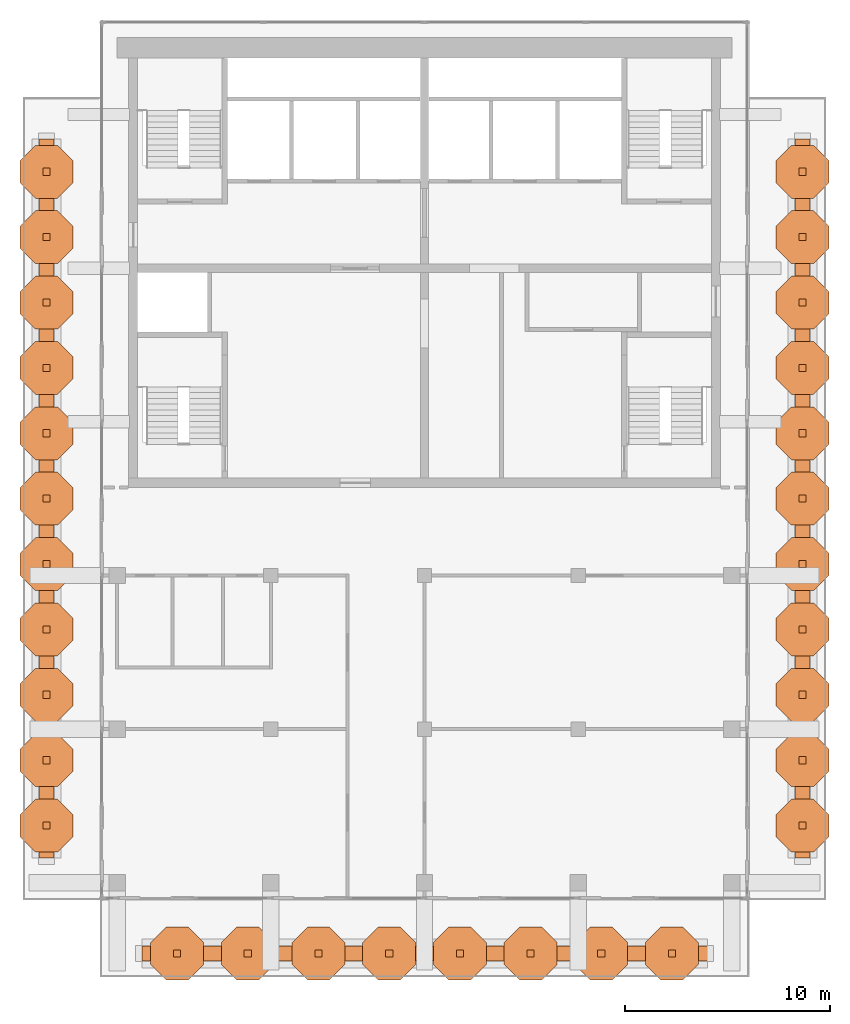
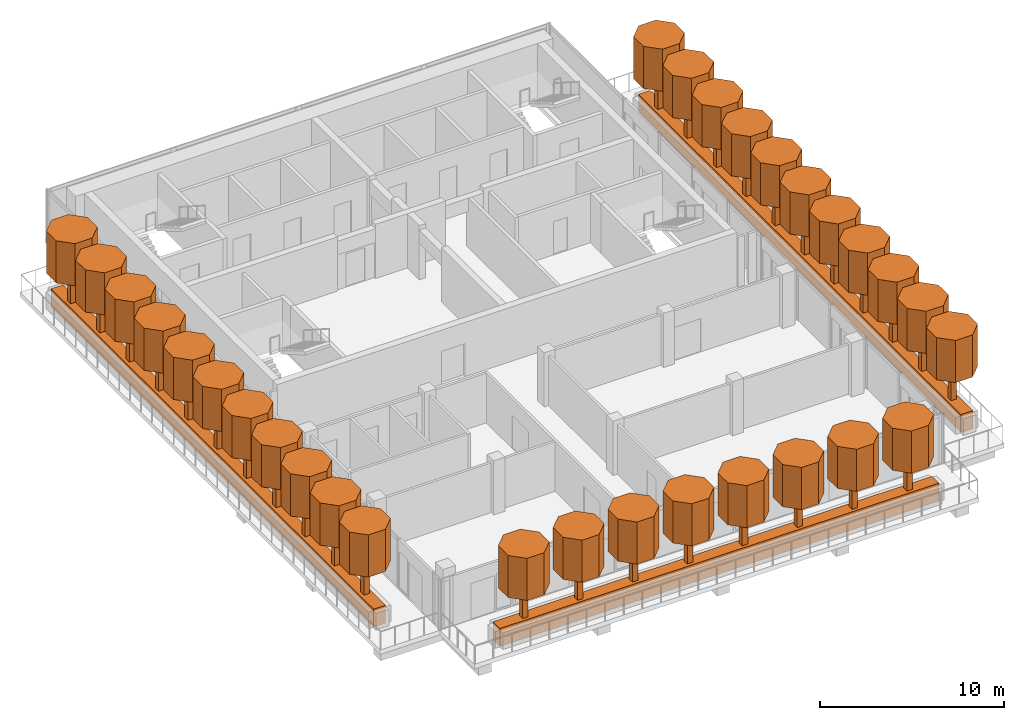
# One storey, part 10 of 10: 63 geographic elements.
"""IFC4 building model written with IfcOpenShell, lengths in metres."""

from ifc_helpers import new_model, si_unit, direction, frame, origin, origin_2d, place, context, subcontext, project, spatial, polyline, rectangle, outline, extrude, material, material_profile, profile_set, type_object, element, save


model = new_model("IFC4")

# Units and contexts
model_context = context("Model", 3, precision=1e-05, world=origin(), true_north=direction((0.0, 1.0)))
body_context = subcontext(model_context, "Body", "Model", "MODEL_VIEW")
ifc_project = project(units=[si_unit("LENGTHUNIT", "METRE"), si_unit("AREAUNIT", "SQUARE_METRE"), si_unit("VOLUMEUNIT", "CUBIC_METRE"), si_unit("PLANEANGLEUNIT", "RADIAN"), si_unit("MASSUNIT", "GRAM", prefix="KILO")], contexts=[model_context])

# Site, building, storey
site_placement = place(None, origin())
site = spatial("IfcSite", under=ifc_project, at=site_placement, CompositionType="ELEMENT")
building_placement = place(site_placement, origin())
building = spatial("IfcBuilding", under=site, at=building_placement, Name="Pilkhan Gate Tower", CompositionType="ELEMENT")
storey_placement = place(building_placement, frame((0.0, 0.0, 272.89990234375)))
storey = spatial("IfcBuildingStorey", under=building, at=storey_placement, Name="L71", CompositionType="ELEMENT", Elevation=272.89990234375)

# Geographic elements
ifc_material_1 = material(Name="Foliage")
ifc_material_profile_1 = material_profile(ifc_material_1, rectangle(XDim=0.75, YDim=1.199951171875, at=origin_2d()), Name="Bed 750x1200")
ifc_profile_set_1 = profile_set([ifc_material_profile_1], Name="Foliage")
geographic_element_type_1 = type_object("IfcGeographicElementType", Name="Planting bed PB1", PredefinedType="USERDEFINED", material=ifc_profile_set_1)
geographic_element_1_placement = place(storey_placement, frame((93.449951171875, 88.800048828125, 0.60009765625), z_axis=(0.0, -1.0, 0.0), x_axis=(1.0, 0.0, 0.0)))
element("IfcGeographicElement", 1, at=geographic_element_1_placement, inside=storey, type_object=geographic_element_type_1, Name="Terrace L71 2 planting bed", ObjectType="PLANTING BED", PredefinedType="USERDEFINED", context=body_context, shape_type="SweptSolid", body=[
    extrude(rectangle(XDim=0.75, YDim=1.199951171875, at=origin_2d()), origin(), (0.0, 0.0, 1.0), 35.10009765625),
])
geographic_element_2_placement = place(storey_placement, frame((88.800048828125, 49.050048828125, 0.60009765625), z_axis=(-1.0, 0.0, 0.0), x_axis=(0.0, -1.0, 0.0)))
element("IfcGeographicElement", 2, at=geographic_element_2_placement, inside=storey, type_object=geographic_element_type_1, Name="Terrace L71 0 planting bed", ObjectType="PLANTING BED", PredefinedType="USERDEFINED", context=body_context, shape_type="SweptSolid", body=[
    extrude(rectangle(XDim=0.75, YDim=1.199951171875, at=origin_2d()), origin(), (0.0, 0.0, 1.0), 27.60009765625),
])
geographic_element_3_placement = place(storey_placement, frame((56.550048828125, 53.699951171875, 0.60009765625), z_axis=(0.0, 1.0, 0.0), x_axis=(-1.0, 0.0, 0.0)))
element("IfcGeographicElement", 3, at=geographic_element_3_placement, inside=storey, type_object=geographic_element_type_1, Name="Terrace L71 0 planting bed", ObjectType="PLANTING BED", PredefinedType="USERDEFINED", context=body_context, shape_type="SweptSolid", body=[
    extrude(rectangle(XDim=0.75, YDim=1.199951171875, at=origin_2d()), origin(), (0.0, 0.0, 1.0), 35.10009765625),
])
ifc_material_profile_2 = material_profile(ifc_material_1, outline(polyline([(1.29345703125, 0.535888671875), (0.535888671875, 1.29345703125), (-0.535888671875, 1.29345703125), (-1.29345703125, 0.535888671875), (-1.29345703125, -0.535888671875), (-0.535888671875, -1.29345703125), (0.535888671875, -1.29345703125), (1.29345703125, -0.535888671875), (1.29345703125, 0.535888671875)])), Name="Canopy D2.8")
ifc_profile_set_2 = profile_set([ifc_material_profile_2], Name="Foliage")
geographic_element_type_2 = type_object("IfcGeographicElementType", Name="Tree canopy TC14", PredefinedType="USERDEFINED", material=ifc_profile_set_2)
for number, where, z_axis, x_axis, name in (
    (4, (93.449951171875, 87.20458984375, 3.2001953125), (0.0, 0.0, 1.0), (1.0, 0.0, 0.0), "Tree L71 terrace 2.1 canopy"),
    (5, (93.449951171875, 84.013671875, 3.2001953125), (0.0, 0.0, 1.0), (1.0, 0.0, 0.0), "Tree L71 terrace 2.2 canopy"),
    (6, (93.449951171875, 80.82275390625, 3.2001953125), (0.0, 0.0, 1.0), (1.0, 0.0, 0.0), "Tree L71 terrace 2.3 canopy"),
    (7, (93.449951171875, 77.6318359375, 3.2001953125), (0.0, 0.0, 1.0), (1.0, 0.0, 0.0), "Tree L71 terrace 2.4 canopy"),
    (8, (93.449951171875, 74.44091796875, 3.2001953125), (0.0, 0.0, 1.0), (1.0, 0.0, 0.0), "Tree L71 terrace 2.5 canopy"),
    (9, (93.449951171875, 71.25, 3.2001953125), (0.0, 0.0, 1.0), (1.0, 0.0, 0.0), "Tree L71 terrace 2.6 canopy"),
    (10, (93.449951171875, 68.05908203125, 3.2001953125), (0.0, 0.0, 1.0), (1.0, 0.0, 0.0), "Tree L71 terrace 2.7 canopy"),
    (11, (93.449951171875, 64.8681640625, 3.2001953125), (0.0, 0.0, 1.0), (1.0, 0.0, 0.0), "Tree L71 terrace 2.8 canopy"),
    (12, (93.449951171875, 61.67724609375, 3.2001953125), (0.0, 0.0, 1.0), (1.0, 0.0, 0.0), "Tree L71 terrace 2.9 canopy"),
    (13, (93.449951171875, 58.486328125, 3.2001953125), (0.0, 0.0, 1.0), (1.0, 0.0, 0.0), "Tree L71 terrace 2.10 canopy"),
    (14, (93.449951171875, 55.29541015625, 3.2001953125), (0.0, 0.0, 1.0), (1.0, 0.0, 0.0), "Tree L71 terrace 2.11 canopy"),
    (15, (87.074951171875, 49.050048828125, 3.2001953125), (0.0, 0.0, 1.0), (1.0, 0.0, 0.0), "Tree L71 terrace 0.1 canopy"),
    (16, (83.625, 49.050048828125, 3.2001953125), (0.0, 0.0, 1.0), (1.0, 0.0, 0.0), "Tree L71 terrace 0.2 canopy"),
    (17, (80.175048828125, 49.050048828125, 3.2001953125), (0.0, 0.0, 1.0), (1.0, 0.0, 0.0), "Tree L71 terrace 0.3 canopy"),
    (18, (76.72509765625, 49.050048828125, 3.2001953125), (0.0, 0.0, 1.0), (1.0, 0.0, 0.0), "Tree L71 terrace 0.4 canopy"),
    (19, (73.27490234375, 49.050048828125, 3.2001953125), (0.0, 0.0, 1.0), (1.0, 0.0, 0.0), "Tree L71 terrace 0.5 canopy"),
    (20, (69.824951171875, 49.050048828125, 3.2001953125), (0.0, 0.0, 1.0), (1.0, 0.0, 0.0), "Tree L71 terrace 0.6 canopy"),
    (21, (66.375, 49.050048828125, 3.2001953125), (0.0, 0.0, 1.0), (1.0, 0.0, 0.0), "Tree L71 terrace 0.7 canopy"),
    (22, (62.925048828125, 49.050048828125, 3.2001953125), (0.0, 0.0, 1.0), (1.0, 0.0, 0.0), "Tree L71 terrace 0.8 canopy"),
    (23, (56.550048828125, 55.29541015625, 3.2001953125), (0.0, 0.0, 1.0), (1.0, 0.0, 0.0), "Tree L71 terrace 0.1 canopy"),
    (24, (56.550048828125, 58.486328125, 3.2001953125), (0.0, 0.0, 1.0), (1.0, 0.0, 0.0), "Tree L71 terrace 0.2 canopy"),
    (25, (56.550048828125, 61.67724609375, 3.2001953125), (0.0, 0.0, 1.0), (1.0, 0.0, 0.0), "Tree L71 terrace 0.3 canopy"),
    (26, (56.550048828125, 64.8681640625, 3.2001953125), (0.0, 0.0, 1.0), (1.0, 0.0, 0.0), "Tree L71 terrace 0.4 canopy"),
    (27, (56.550048828125, 68.05908203125, 3.2001953125), (0.0, 0.0, 1.0), (1.0, 0.0, 0.0), "Tree L71 terrace 0.5 canopy"),
    (28, (56.550048828125, 71.25, 3.2001953125), (0.0, 0.0, 1.0), (1.0, 0.0, 0.0), "Tree L71 terrace 0.6 canopy"),
    (29, (56.550048828125, 74.44091796875, 3.2001953125), (0.0, 0.0, 1.0), (1.0, 0.0, 0.0), "Tree L71 terrace 0.7 canopy"),
    (30, (56.550048828125, 77.6318359375, 3.2001953125), (0.0, 0.0, 1.0), (1.0, 0.0, 0.0), "Tree L71 terrace 0.8 canopy"),
    (31, (56.550048828125, 80.82275390625, 3.2001953125), (0.0, 0.0, 1.0), (1.0, 0.0, 0.0), "Tree L71 terrace 0.9 canopy"),
    (32, (56.550048828125, 84.013671875, 3.2001953125), (0.0, 0.0, 1.0), (1.0, 0.0, 0.0), "Tree L71 terrace 0.10 canopy"),
    (33, (56.550048828125, 87.20458984375, 3.2001953125), (0.0, 0.0, 1.0), (1.0, 0.0, 0.0), "Tree L71 terrace 0.11 canopy"),
):
    element("IfcGeographicElement", number, at=place(storey_placement, frame(where, z_axis=z_axis, x_axis=x_axis)), inside=storey, type_object=geographic_element_type_2, Name=name, ObjectType="TREE", PredefinedType="USERDEFINED", context=body_context, shape_type="SweptSolid", body=[
        extrude(outline(polyline([(1.29345703125, 0.535888671875), (0.535888671875, 1.29345703125), (-0.535888671875, 1.29345703125), (-1.29345703125, 0.535888671875), (-1.29345703125, -0.535888671875), (-0.535888671875, -1.29345703125), (0.535888671875, -1.29345703125), (1.29345703125, -0.535888671875), (1.29345703125, 0.535888671875)])), origin(), (0.0, 0.0, 1.0), 2.7998046875),
    ])
ifc_material_2 = material(Name="Timber trunk", Category="wood")
geographic_element_type_3 = type_object("IfcGeographicElementType", Name="Tree trunk TT1", PredefinedType="USERDEFINED", material=ifc_material_2)
for number, where, z_axis, x_axis, name in (
    (34, (93.449951171875, 87.20458984375, 1.2001953125), (0.0, 0.0, 1.0), (1.0, 0.0, 0.0), "Tree L71 terrace 2.1 trunk"),
    (35, (93.449951171875, 84.013671875, 1.2001953125), (0.0, 0.0, 1.0), (1.0, 0.0, 0.0), "Tree L71 terrace 2.2 trunk"),
    (36, (93.449951171875, 80.82275390625, 1.2001953125), (0.0, 0.0, 1.0), (1.0, 0.0, 0.0), "Tree L71 terrace 2.3 trunk"),
    (37, (93.449951171875, 77.6318359375, 1.2001953125), (0.0, 0.0, 1.0), (1.0, 0.0, 0.0), "Tree L71 terrace 2.4 trunk"),
    (38, (93.449951171875, 74.44091796875, 1.2001953125), (0.0, 0.0, 1.0), (1.0, 0.0, 0.0), "Tree L71 terrace 2.5 trunk"),
    (39, (93.449951171875, 71.25, 1.2001953125), (0.0, 0.0, 1.0), (1.0, 0.0, 0.0), "Tree L71 terrace 2.6 trunk"),
    (40, (93.449951171875, 68.05908203125, 1.2001953125), (0.0, 0.0, 1.0), (1.0, 0.0, 0.0), "Tree L71 terrace 2.7 trunk"),
    (41, (93.449951171875, 64.8681640625, 1.2001953125), (0.0, 0.0, 1.0), (1.0, 0.0, 0.0), "Tree L71 terrace 2.8 trunk"),
    (42, (93.449951171875, 61.67724609375, 1.2001953125), (0.0, 0.0, 1.0), (1.0, 0.0, 0.0), "Tree L71 terrace 2.9 trunk"),
    (43, (93.449951171875, 58.486328125, 1.2001953125), (0.0, 0.0, 1.0), (1.0, 0.0, 0.0), "Tree L71 terrace 2.10 trunk"),
    (44, (93.449951171875, 55.29541015625, 1.2001953125), (0.0, 0.0, 1.0), (1.0, 0.0, 0.0), "Tree L71 terrace 2.11 trunk"),
    (45, (87.074951171875, 49.050048828125, 1.2001953125), (0.0, 0.0, 1.0), (1.0, 0.0, 0.0), "Tree L71 terrace 0.1 trunk"),
    (46, (83.625, 49.050048828125, 1.2001953125), (0.0, 0.0, 1.0), (1.0, 0.0, 0.0), "Tree L71 terrace 0.2 trunk"),
    (47, (80.175048828125, 49.050048828125, 1.2001953125), (0.0, 0.0, 1.0), (1.0, 0.0, 0.0), "Tree L71 terrace 0.3 trunk"),
    (48, (76.72509765625, 49.050048828125, 1.2001953125), (0.0, 0.0, 1.0), (1.0, 0.0, 0.0), "Tree L71 terrace 0.4 trunk"),
    (49, (73.27490234375, 49.050048828125, 1.2001953125), (0.0, 0.0, 1.0), (1.0, 0.0, 0.0), "Tree L71 terrace 0.5 trunk"),
    (50, (69.824951171875, 49.050048828125, 1.2001953125), (0.0, 0.0, 1.0), (1.0, 0.0, 0.0), "Tree L71 terrace 0.6 trunk"),
    (51, (66.375, 49.050048828125, 1.2001953125), (0.0, 0.0, 1.0), (1.0, 0.0, 0.0), "Tree L71 terrace 0.7 trunk"),
    (52, (62.925048828125, 49.050048828125, 1.2001953125), (0.0, 0.0, 1.0), (1.0, 0.0, 0.0), "Tree L71 terrace 0.8 trunk"),
    (53, (56.550048828125, 55.29541015625, 1.2001953125), (0.0, 0.0, 1.0), (1.0, 0.0, 0.0), "Tree L71 terrace 0.1 trunk"),
    (54, (56.550048828125, 58.486328125, 1.2001953125), (0.0, 0.0, 1.0), (1.0, 0.0, 0.0), "Tree L71 terrace 0.2 trunk"),
    (55, (56.550048828125, 61.67724609375, 1.2001953125), (0.0, 0.0, 1.0), (1.0, 0.0, 0.0), "Tree L71 terrace 0.3 trunk"),
    (56, (56.550048828125, 64.8681640625, 1.2001953125), (0.0, 0.0, 1.0), (1.0, 0.0, 0.0), "Tree L71 terrace 0.4 trunk"),
    (57, (56.550048828125, 68.05908203125, 1.2001953125), (0.0, 0.0, 1.0), (1.0, 0.0, 0.0), "Tree L71 terrace 0.5 trunk"),
    (58, (56.550048828125, 71.25, 1.2001953125), (0.0, 0.0, 1.0), (1.0, 0.0, 0.0), "Tree L71 terrace 0.6 trunk"),
    (59, (56.550048828125, 74.44091796875, 1.2001953125), (0.0, 0.0, 1.0), (1.0, 0.0, 0.0), "Tree L71 terrace 0.7 trunk"),
    (60, (56.550048828125, 77.6318359375, 1.2001953125), (0.0, 0.0, 1.0), (1.0, 0.0, 0.0), "Tree L71 terrace 0.8 trunk"),
    (61, (56.550048828125, 80.82275390625, 1.2001953125), (0.0, 0.0, 1.0), (1.0, 0.0, 0.0), "Tree L71 terrace 0.9 trunk"),
    (62, (56.550048828125, 84.013671875, 1.2001953125), (0.0, 0.0, 1.0), (1.0, 0.0, 0.0), "Tree L71 terrace 0.10 trunk"),
    (63, (56.550048828125, 87.20458984375, 1.2001953125), (0.0, 0.0, 1.0), (1.0, 0.0, 0.0), "Tree L71 terrace 0.11 trunk"),
):
    element("IfcGeographicElement", number, at=place(storey_placement, frame(where, z_axis=z_axis, x_axis=x_axis)), inside=storey, type_object=geographic_element_type_3, Name=name, ObjectType="TREE", PredefinedType="USERDEFINED", context=body_context, shape_type="SweptSolid", body=[
        extrude(rectangle(XDim=0.35009765625, YDim=0.35009765625, at=origin_2d()), origin(), (0.0, 0.0, 1.0), 2.0),
    ])

save(model, "model.ifc")
